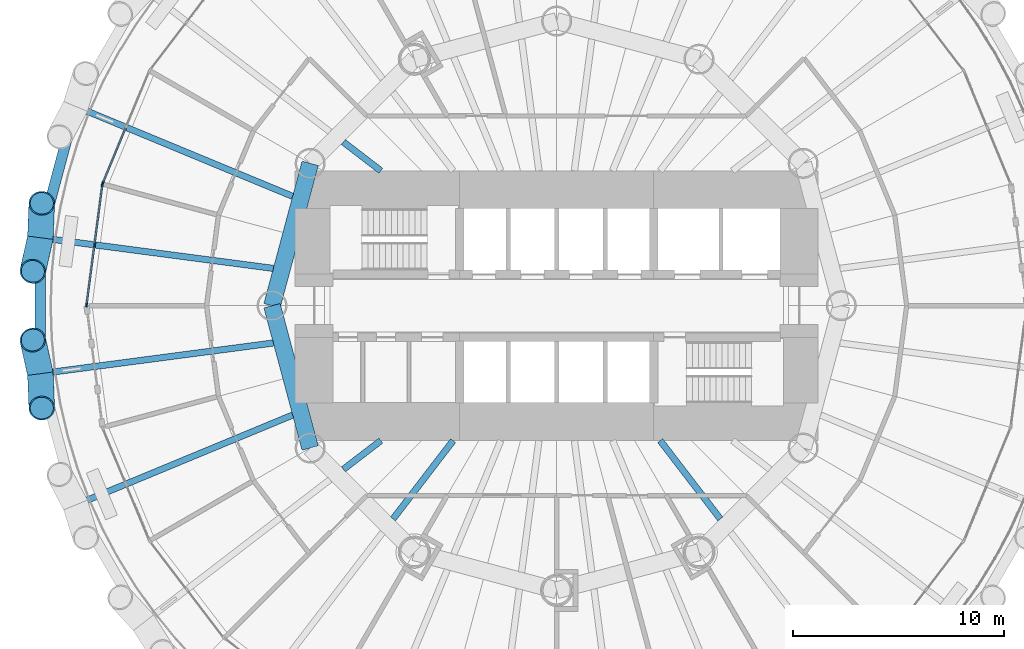
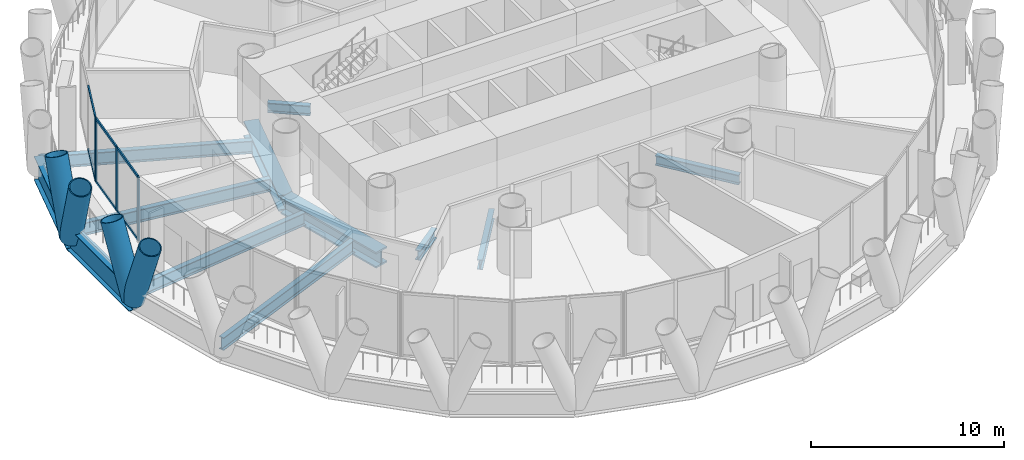
# One storey, part 3 of 15: 14 members, 12 beams, 2 elements without a shape of their own.
"""IFC4 building model written with IfcOpenShell, lengths in metres."""

from ifc_helpers import new_model, si_unit, direction, frame, origin, origin_2d, place, context, subcontext, project, spatial, rectangle, hollow_circle, i_section, extrude, material, material_profile, profile_set, type_object, element, aggregate, save


model = new_model("IFC4")

# Units and contexts
model_context = context("Model", 3, precision=1e-05, world=origin(), true_north=direction((0.0, 1.0)))
body_context = subcontext(model_context, "Body", "Model", "MODEL_VIEW")
ifc_project = project(units=[si_unit("LENGTHUNIT", "METRE"), si_unit("AREAUNIT", "SQUARE_METRE"), si_unit("VOLUMEUNIT", "CUBIC_METRE"), si_unit("PLANEANGLEUNIT", "RADIAN"), si_unit("MASSUNIT", "GRAM", prefix="KILO")], contexts=[model_context])

# Site, building, storey
site_placement = place(None, origin())
site = spatial("IfcSite", under=ifc_project, at=site_placement, CompositionType="ELEMENT")
building_placement = place(site_placement, origin())
building = spatial("IfcBuilding", under=site, at=building_placement, Name="Qaws Media Tower", CompositionType="ELEMENT")
storey_placement = place(building_placement, frame((0.0, 0.0, 51.199951171875)))
storey = spatial("IfcBuildingStorey", under=building, at=storey_placement, Name="L10", CompositionType="ELEMENT", Elevation=51.199951171875)

# Curtain wall, member
ifc_material_1 = material(Name="Aluminium and clear glass", Category="aluminium")
curtain_wall_type = type_object("IfcCurtainWallType", Name="Unitised curtain wall CW-A", PredefinedType="NOTDEFINED", material=ifc_material_1)
curtain_wall_1_placement = place(storey_placement, origin())
curtain_wall_1 = element("IfcCurtainWall", 1, at=curtain_wall_1_placement, inside=storey, type_object=curtain_wall_type, Name="CWA curtain wall L10-11", PredefinedType="NOTDEFINED")
ifc_material_2 = material(Name="Aluminium mullion", Category="aluminium")
ifc_material_profile_1 = material_profile(ifc_material_2, rectangle(XDim=0.080078125, YDim=0.199951171875, at=origin_2d()), Name="80x200")
ifc_profile_set_1 = profile_set([ifc_material_profile_1], Name="Aluminium mullion")
member_type_1 = type_object("IfcMemberType", Name="Curtain wall mullion 80x200", PredefinedType="MULLION", material=ifc_profile_set_1)
member_1_placement = place(storey_placement, frame((38.47509765625, 55.80859375, 0.0), z_axis=(0.0, 0.0, 1.0), x_axis=(0.923879550732, -0.382683388377, 0.0)))
member_1 = element("IfcMember", 2, at=member_1_placement, type_object=member_type_1, Name="CWA mullion 3", PredefinedType="MULLION", context=body_context, shape_type="SweptSolid", body=[
    extrude(rectangle(XDim=0.080078125, YDim=0.199951171875, at=origin_2d()), origin(), (0.0, 0.0, 1.0), 4.0400390625),
])

# Curtain wall, members
curtain_wall_2_placement = place(storey_placement, origin())
curtain_wall_2 = element("IfcCurtainWall", 3, at=curtain_wall_2_placement, inside=storey, type_object=curtain_wall_type, Name="CWA curtain wall L10-12", PredefinedType="NOTDEFINED")
member_2_placement = place(storey_placement, frame((38.45458984375, 55.73193359375, 0.0), z_axis=(0.0, 0.0, 1.0), x_axis=(0.991444863875, -0.13052617322, 0.0)))
member_2 = element("IfcMember", 4, at=member_2_placement, type_object=member_type_1, Name="CWA mullion 1", PredefinedType="MULLION", context=body_context, shape_type="SweptSolid", body=[
    extrude(rectangle(XDim=0.080078125, YDim=0.199951171875, at=origin_2d()), origin(), (0.0, 0.0, 1.0), 4.0400390625),
])
member_3_placement = place(storey_placement, frame((38.079833984375, 52.8857421875, 0.0), z_axis=(0.0, 0.0, 1.0), x_axis=(0.991444863875, -0.13052617322, 0.0)))
member_3 = element("IfcMember", 5, at=member_3_placement, type_object=member_type_1, Name="CWA mullion 2", PredefinedType="MULLION", context=body_context, shape_type="SweptSolid", body=[
    extrude(rectangle(XDim=0.080078125, YDim=0.199951171875, at=origin_2d()), origin(), (0.0, 0.0, 1.0), 4.0400390625),
])
member_4_placement = place(storey_placement, frame((37.705322265625, 50.03955078125, 0.0), z_axis=(0.0, 0.0, 1.0), x_axis=(0.991444863875, -0.13052617322, 0.0)))
member_4 = element("IfcMember", 6, at=member_4_placement, type_object=member_type_1, Name="CWA mullion 3", PredefinedType="MULLION", context=body_context, shape_type="SweptSolid", body=[
    extrude(rectangle(XDim=0.080078125, YDim=0.199951171875, at=origin_2d()), origin(), (0.0, 0.0, 1.0), 4.0400390625),
])

# Member
ifc_material_3 = material(Name="Aluminium transom", Category="aluminium")
ifc_material_profile_2 = material_profile(ifc_material_3, rectangle(XDim=0.080078125, YDim=0.159912109375, at=origin_2d()), Name="80x160")
ifc_profile_set_2 = profile_set([ifc_material_profile_2], Name="Aluminium transom")
member_type_2 = type_object("IfcMemberType", Name="Curtain wall transom 80x160", PredefinedType="USERDEFINED", material=ifc_profile_set_2)
member_5_placement = place(storey_placement, frame((39.558349609375, 58.423828125, 0.0400390625), z_axis=(-0.38264539254, -0.923895288205, 0.0), x_axis=(0.923895288205, -0.38264539254, 0.0)))
member_5 = element("IfcMember", 7, at=member_5_placement, type_object=member_type_2, Name="CWA transom 2.1", ObjectType="TRANSOM", PredefinedType="USERDEFINED", context=body_context, shape_type="SweptSolid", body=[
    extrude(rectangle(XDim=0.080078125, YDim=0.159912109375, at=origin_2d()), origin(), (0.0, 0.0, 1.0), 2.790771484375),
])

member_6_placement = place(storey_placement, frame((39.558349609375, 58.423828125, 4.0), z_axis=(-0.38264539254, -0.923895288205, 0.0), x_axis=(0.923895288205, -0.38264539254, 0.0)))
member_6 = element("IfcMember", 8, at=member_6_placement, type_object=member_type_2, Name="CWA transom 2.2", ObjectType="TRANSOM", PredefinedType="USERDEFINED", context=body_context, shape_type="SweptSolid", body=[
    extrude(rectangle(XDim=0.080078125, YDim=0.159912109375, at=origin_2d()), origin(), (0.0, 0.0, 1.0), 2.790771484375),
])

aggregate(curtain_wall_1, [member_1, member_5, member_6])

member_7_placement = place(storey_placement, frame((38.449462890625, 55.6923828125, 0.0400390625), z_axis=(-0.130524665408, -0.991445062381, 0.0), x_axis=(0.991445062381, -0.130524665408, 0.0)))
member_7 = element("IfcMember", 9, at=member_7_placement, type_object=member_type_2, Name="CWA transom 1.1", ObjectType="TRANSOM", PredefinedType="USERDEFINED", context=body_context, shape_type="SweptSolid", body=[
    extrude(rectangle(XDim=0.080078125, YDim=0.159912109375, at=origin_2d()), origin(), (0.0, 0.0, 1.0), 2.790771484375),
])

member_8_placement = place(storey_placement, frame((38.449462890625, 55.6923828125, 4.0), z_axis=(-0.130524665408, -0.991445062381, 0.0), x_axis=(0.991445062381, -0.130524665408, 0.0)))
member_8 = element("IfcMember", 10, at=member_8_placement, type_object=member_type_2, Name="CWA transom 1.2", ObjectType="TRANSOM", PredefinedType="USERDEFINED", context=body_context, shape_type="SweptSolid", body=[
    extrude(rectangle(XDim=0.080078125, YDim=0.159912109375, at=origin_2d()), origin(), (0.0, 0.0, 1.0), 2.790771484375),
])

member_9_placement = place(storey_placement, frame((38.07470703125, 52.84619140625, 0.0400390625), z_axis=(-0.130524665408, -0.991445062381, 0.0), x_axis=(0.991445062381, -0.130524665408, 0.0)))
member_9 = element("IfcMember", 11, at=member_9_placement, type_object=member_type_2, Name="CWA transom 2.1", ObjectType="TRANSOM", PredefinedType="USERDEFINED", context=body_context, shape_type="SweptSolid", body=[
    extrude(rectangle(XDim=0.080078125, YDim=0.159912109375, at=origin_2d()), origin(), (0.0, 0.0, 1.0), 2.790771484375),
])

member_10_placement = place(storey_placement, frame((38.07470703125, 52.84619140625, 4.0), z_axis=(-0.130524665408, -0.991445062381, 0.0), x_axis=(0.991445062381, -0.130524665408, 0.0)))
member_10 = element("IfcMember", 12, at=member_10_placement, type_object=member_type_2, Name="CWA transom 2.2", ObjectType="TRANSOM", PredefinedType="USERDEFINED", context=body_context, shape_type="SweptSolid", body=[
    extrude(rectangle(XDim=0.080078125, YDim=0.159912109375, at=origin_2d()), origin(), (0.0, 0.0, 1.0), 2.790771484375),
])

aggregate(curtain_wall_2, [member_2, member_3, member_4, member_7, member_8, member_9, member_10])

# Members
ifc_material_4 = material(Name="Steel S460", Category="steel")
ifc_material_profile_3 = material_profile(ifc_material_4, hollow_circle(Radius=0.609619140625, WallThickness=0.06005859375, at=origin_2d()), Name="CHS 1219x60")
ifc_profile_set_3 = profile_set([ifc_material_profile_3], Name="Steel S460")
member_type_3 = type_object("IfcMemberType", Name="Diagrid member CHS 1219x60", PredefinedType="USERDEFINED", material=ifc_profile_set_3)
for number, where, z_axis, x_axis, name in (
    (13, (35.51123046875, 53.223876953125, -0.909912109375), (-0.079411806497, -0.353994649017, 0.931869923035), (0.97574945406, -0.218890390153, 0.0), "DG1 diagrid L10 A12"),
    (14, (35.51123046875, 53.223876953125, -0.909912109375), (0.014896416922, 0.362497534698, 0.931865673851), (-0.99915671591, 0.041059189611, 0.0), "DG1 diagrid L10 B12"),
    (15, (35.51123046875, 46.776123046875, -0.909912109375), (0.014896416922, -0.362497534698, 0.931865673851), (0.99915671591, 0.041059189611, 0.0), "DG1 diagrid L10 A13"),
    (16, (35.51123046875, 46.776123046875, -0.909912109375), (-0.079411806497, 0.353994649017, 0.931869923035), (-0.97574945406, -0.218890390153, 0.0), "DG1 diagrid L10 B13"),
):
    element("IfcMember", number, at=place(storey_placement, frame(where, z_axis=z_axis, x_axis=x_axis)), inside=storey, type_object=member_type_3, Name=name, ObjectType="DIAGRID", PredefinedType="USERDEFINED", context=body_context, shape_type="SweptSolid", body=[
        extrude(hollow_circle(Radius=0.609619140625, WallThickness=0.06005859375, at=origin_2d()), origin(), (0.0, 0.0, 1.0), 4.507080078125),
    ])

# Beams
ifc_material_5 = material(Name="Steel S460", Category="steel")
ifc_material_profile_4 = material_profile(ifc_material_5, i_section(OverallWidth=0.5, OverallDepth=1.5, WebThickness=0.02001953125, FlangeThickness=0.0400390625, at=origin_2d()), Name="PG 1500x500")
ifc_profile_set_4 = profile_set([ifc_material_profile_4], Name="Steel S460")
beam_type_1 = type_object("IfcBeamType", Name="Edge ring beam PG 1500x500", PredefinedType="BEAM", material=ifc_profile_set_4)
beam_1_placement = place(storey_placement, frame((37.18017578125, 59.452392578125, -0.909912109375), z_axis=(-0.25882187829, -0.965925067134, 0.0), x_axis=(0.965925067134, -0.25882187829, 0.0)))
element("IfcBeam", 17, at=beam_1_placement, inside=storey, type_object=beam_type_1, Name="RB4 edge ring beam L10-11", PredefinedType="BEAM", context=body_context, shape_type="SweptSolid", body=[
    extrude(i_section(OverallWidth=0.5, OverallDepth=1.5, WebThickness=0.02001953125, FlangeThickness=0.0400390625, at=origin_2d()), origin(), (0.0, 0.0, 1.0), 6.4482421875),
])
beam_2_placement = place(storey_placement, frame((35.51123046875, 53.223876953125, -0.909912109375), z_axis=(0.0, -1.0, 0.0), x_axis=(1.0, 0.0, 0.0)))
element("IfcBeam", 18, at=beam_2_placement, inside=storey, type_object=beam_type_1, Name="RB4 edge ring beam L10-12", PredefinedType="BEAM", context=body_context, shape_type="SweptSolid", body=[
    extrude(i_section(OverallWidth=0.5, OverallDepth=1.5, WebThickness=0.02001953125, FlangeThickness=0.0400390625, at=origin_2d()), origin(), (0.0, 0.0, 1.0), 6.44775390625),
])
ifc_material_6 = material(Name="Steel S460", Category="steel")
ifc_material_profile_5 = material_profile(ifc_material_6, i_section(OverallWidth=0.800048828125, OverallDepth=1.0, WebThickness=0.0400390625, FlangeThickness=0.10009765625, at=origin_2d()), Name="PG 1000x800")
ifc_profile_set_5 = profile_set([ifc_material_profile_5], Name="Steel S460")
beam_type_2 = type_object("IfcBeamType", Name="Inner ring girder PG 1000x800", PredefinedType="BEAM", material=ifc_profile_set_5)
for number, where, z_axis, x_axis, name in (
    (19, (48.30859375, 56.75, -0.659912109375), (-0.258810593767, -0.965928090778, 0.0), (0.965928090778, -0.258810593767, 0.0), "B3 inner ring beam L10 I06-I07"),
    (20, (46.5, 50.0, -0.659912109375), (0.258810593767, -0.965928090778, 0.0), (0.965928090778, 0.258810593767, 0.0), "B3 inner ring beam L10 I07-I08"),
):
    element("IfcBeam", number, at=place(storey_placement, frame(where, z_axis=z_axis, x_axis=x_axis)), inside=storey, type_object=beam_type_2, Name=name, PredefinedType="BEAM", context=body_context, shape_type="SweptSolid", body=[
        extrude(i_section(OverallWidth=0.800048828125, OverallDepth=1.0, WebThickness=0.0400390625, FlangeThickness=0.10009765625, at=origin_2d()), origin(), (0.0, 0.0, 1.0), 6.988037109375),
    ])
ifc_material_7 = material(Name="Steel S355", Category="steel")
ifc_material_profile_6 = material_profile(ifc_material_7, i_section(OverallWidth=0.304931640625, OverallDepth=0.6201171875, WebThickness=0.02099609375, FlangeThickness=0.0400390625, FilletRadius=0.027099609375, at=origin_2d()), Name="HE 600 M")
ifc_profile_set_6 = profile_set([ifc_material_profile_6], Name="Steel S355")
beam_type_3 = type_object("IfcBeamType", Name="Radial beam HE 600 M, core side", PredefinedType="BEAM", material=ifc_profile_set_6)
for number, where, z_axis, x_axis, name in (
    (21, (51.659423828125, 56.39990234375, -0.469970703125), (-0.793321589474, 0.608802805245, 0.0), (-0.608802805245, -0.793321589474, 0.0), "B2 radial beam L10 10"),
    (22, (51.659423828125, 43.60009765625, -0.469970703125), (-0.793321589474, -0.608802805245, 0.0), (0.608802805245, -0.793321589474, 0.0), "B2 radial beam L10 15"),
):
    element("IfcBeam", number, at=place(storey_placement, frame(where, z_axis=z_axis, x_axis=x_axis)), inside=storey, type_object=beam_type_3, Name=name, PredefinedType="BEAM", context=body_context, shape_type="SweptSolid", body=[
        extrude(i_section(OverallWidth=0.304931640625, OverallDepth=0.6201171875, WebThickness=0.02099609375, FlangeThickness=0.0400390625, FilletRadius=0.027099609375, at=origin_2d()), origin(), (0.0, 0.0, 1.0), 2.236083984375),
    ])
for number, where, z_axis, x_axis, name in (
    (23, (55.089111328125, 43.60009765625, -0.469970703125), (-0.608765363283, -0.793350321401, 0.0), (0.793350321401, -0.608765363283, 0.0), "B2 radial beam L10 16"),
    (24, (64.910888671875, 43.60009765625, -0.469970703125), (0.608765363283, -0.793350321401, 0.0), (0.793350321401, 0.608765363283, 0.0), "B2 radial beam L10 21"),
):
    element("IfcBeam", number, at=place(storey_placement, frame(where, z_axis=z_axis, x_axis=x_axis)), inside=storey, type_object=beam_type_3, Name=name, PredefinedType="BEAM", context=body_context, shape_type="SweptSolid", body=[
        extrude(i_section(OverallWidth=0.304931640625, OverallDepth=0.6201171875, WebThickness=0.02099609375, FlangeThickness=0.0400390625, FilletRadius=0.027099609375, at=origin_2d()), origin(), (0.0, 0.0, 1.0), 4.68212890625),
    ])
ifc_material_8 = material(Name="Steel S355", Category="steel")
ifc_material_profile_7 = material_profile(ifc_material_8, i_section(OverallWidth=0.300048828125, OverallDepth=0.800048828125, WebThickness=0.017578125, FlangeThickness=0.032958984375, FilletRadius=0.030029296875, at=origin_2d()), Name="HE 800 B")
ifc_profile_set_7 = profile_set([ifc_material_profile_7], Name="Steel S355")
beam_type_4 = type_object("IfcBeamType", Name="Radial beam HE 800 B", PredefinedType="BEAM", material=ifc_profile_set_7)
beam_3_placement = place(storey_placement, frame((47.475830078125, 55.187744140625, -0.56005859375), z_axis=(-0.923877984457, 0.382687169678, 0.0), x_axis=(-0.382687169678, -0.923877984457, 0.0)))
element("IfcBeam", 25, at=beam_3_placement, inside=storey, type_object=beam_type_4, Name="B1 radial beam L10 11", PredefinedType="BEAM", context=body_context, shape_type="SweptSolid", body=[
    extrude(i_section(OverallWidth=0.300048828125, OverallDepth=0.800048828125, WebThickness=0.017578125, FlangeThickness=0.032958984375, FilletRadius=0.030029296875, at=origin_2d()), origin(), (0.0, 0.0, 1.0), 11.14404296875),
])
for number, where, z_axis, x_axis, name in (
    (26, (46.56005859375, 51.769287109375, -0.56005859375), (-0.991445046872, 0.130524783217, 0.0), (-0.130524783217, -0.991445046872, 0.0), "B1 radial beam L10 12"),
    (27, (46.56005859375, 48.230712890625, -0.56005859375), (-0.991445046872, -0.130524783217, 0.0), (0.130524783217, -0.991445046872, 0.0), "B1 radial beam L10 13"),
):
    element("IfcBeam", number, at=place(storey_placement, frame(where, z_axis=z_axis, x_axis=x_axis)), inside=storey, type_object=beam_type_4, Name=name, PredefinedType="BEAM", context=body_context, shape_type="SweptSolid", body=[
        extrude(i_section(OverallWidth=0.300048828125, OverallDepth=0.800048828125, WebThickness=0.017578125, FlangeThickness=0.032958984375, FilletRadius=0.030029296875, at=origin_2d()), origin(), (0.0, 0.0, 1.0), 11.144287109375),
    ])
beam_4_placement = place(storey_placement, frame((47.475830078125, 44.812255859375, -0.56005859375), z_axis=(-0.923877984457, -0.382687169678, 0.0), x_axis=(0.382687169678, -0.923877984457, 0.0)))
element("IfcBeam", 28, at=beam_4_placement, inside=storey, type_object=beam_type_4, Name="B1 radial beam L10 14", PredefinedType="BEAM", context=body_context, shape_type="SweptSolid", body=[
    extrude(i_section(OverallWidth=0.300048828125, OverallDepth=0.800048828125, WebThickness=0.017578125, FlangeThickness=0.032958984375, FilletRadius=0.030029296875, at=origin_2d()), origin(), (0.0, 0.0, 1.0), 11.14404296875),
])

save(model, "model.ifc")
